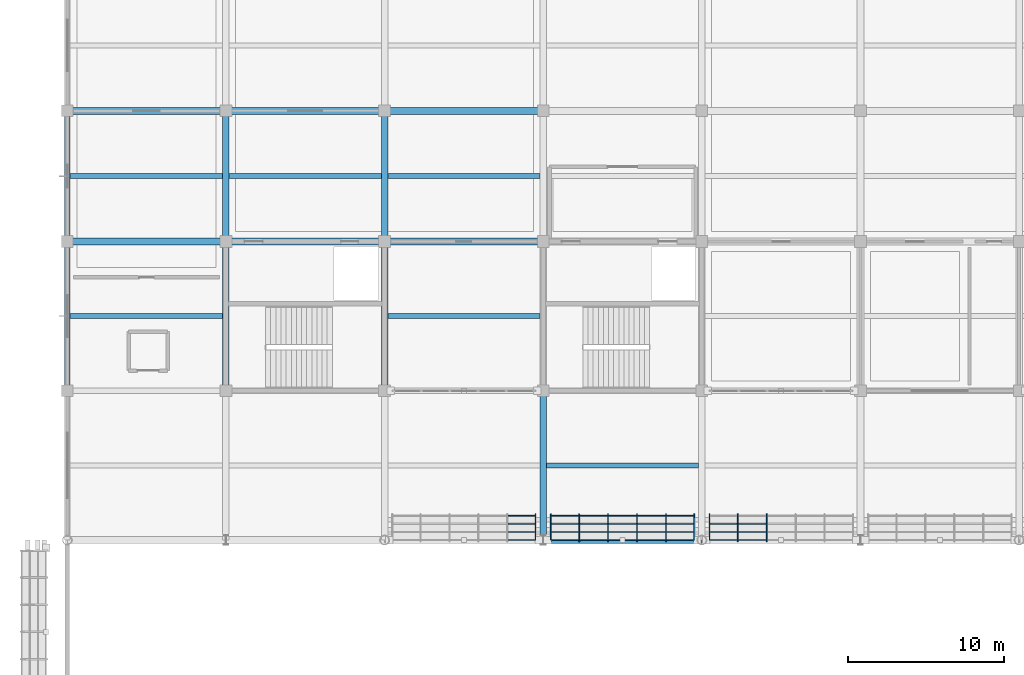
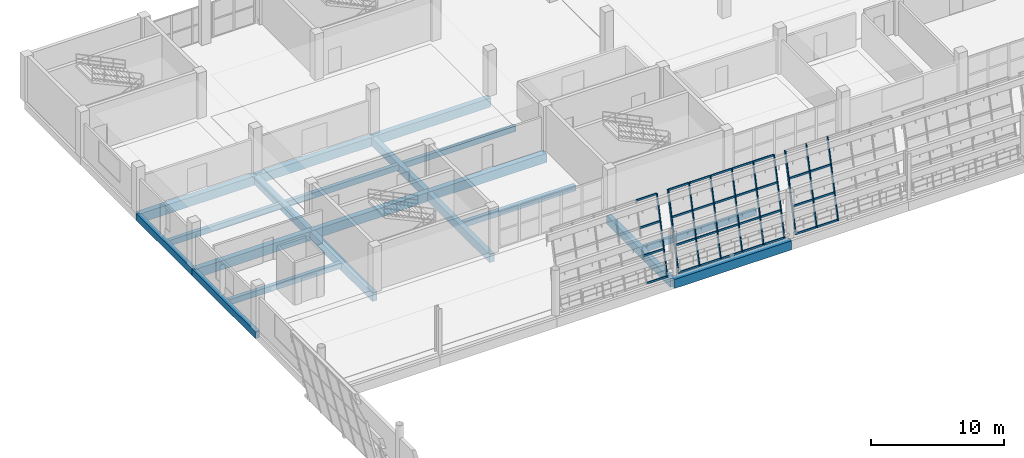
# One storey, part 36 of 157: 40 members, 20 beams, 3 elements without a shape of their own.
"""IFC4 building model written with IfcOpenShell, lengths in metres."""

import ifcopenshell
import ifcopenshell.guid

model = None  # the IFC model being written
_history = None  # IfcOwnerHistory: only IFC2X3 demands one
_inside = {}  # id of a spatial element -> (the spatial element, [elements in it])
_under = {}  # id of a project, library or spatial element -> (it, [spatial elements below it])
_declared = {}  # id of a project -> (the project, [libraries it declares])
_typed = {}  # id of a type object -> (the type object, [elements of that type])
_made_of = {}  # id of a material, layer set ... -> (it, [elements and type objects made of it])


def new_model(schema):
    """Start an empty IFC model of exactly this schema.

    Asked for "IFC4X3", IfcOpenShell would pick the latest addendum, in which some entities
    have other attributes; the version numbers below select the first issue.
    IFC2X3 requires an IfcOwnerHistory on every rooted entity: one is made here for all.
    """
    global model, _history
    if schema == "IFC4X3":
        model = ifcopenshell.file(schema_version=(4, 3, 0, 0))
    else:
        model = ifcopenshell.file(schema=schema)
    _inside.clear()
    _under.clear()
    _declared.clear()
    _typed.clear()
    _made_of.clear()
    _history = None
    if model.schema == "IFC2X3":
        org = make("IfcOrganization", Name="unknown")
        user = make(
            "IfcPersonAndOrganization",
            ThePerson=make("IfcPerson", FamilyName="unknown"),
            TheOrganization=org,
        )
        app = make(
            "IfcApplication",
            ApplicationDeveloper=org,
            Version="unknown",
            ApplicationFullName="unknown",
            ApplicationIdentifier="unknown",
        )
        _history = make(
            "IfcOwnerHistory",
            OwningUser=user,
            OwningApplication=app,
            ChangeAction="ADDED",
            CreationDate=0,
        )
    return model


def make(cls, **values):
    """One entity of the class cls with the attributes given. An attribute that is None is left unset."""
    return model.create_entity(
        cls, **{name: value for name, value in values.items() if value is not None}
    )


def rooted(cls, **values):
    """An entity with a GlobalId (a new one), such as an element, a storey or a relation."""
    return make(cls, GlobalId=ifcopenshell.guid.new(), OwnerHistory=_history, **values)


def si_unit(unit_type, name, prefix=None):
    """IfcSIUnit, for example si_unit("LENGTHUNIT", "METRE", prefix="MILLI")."""
    return make("IfcSIUnit", UnitType=unit_type, Prefix=prefix, Name=name)


def assignment(units):
    """IfcUnitAssignment: the units of a project."""
    return None if units is None else make("IfcUnitAssignment", Units=units)


def point(xyz):
    """IfcCartesianPoint."""
    return None if xyz is None else make("IfcCartesianPoint", Coordinates=xyz)


def direction(xyz):
    """IfcDirection."""
    return None if xyz is None else make("IfcDirection", DirectionRatios=xyz)


def frame(location, z_axis=None, x_axis=None):
    """IfcAxis2Placement3D, a coordinate frame: its origin and axes. An axis left out is left unset."""
    return make(
        "IfcAxis2Placement3D",
        Location=point(location),
        Axis=direction(z_axis),
        RefDirection=direction(x_axis),
    )


def frame_2d(location, x_axis=None):
    """IfcAxis2Placement2D, a coordinate frame in the plane: its origin and x axis."""
    return make(
        "IfcAxis2Placement2D", Location=point(location), RefDirection=direction(x_axis)
    )


def origin():
    """The frame at (0, 0, 0) with its axes left unset."""
    return frame((0.0, 0.0, 0.0))


def origin_2d():
    """The frame at (0, 0) in the plane with its x axis left unset."""
    return frame_2d((0.0, 0.0))


def place(relative_to, where):
    """IfcLocalPlacement: puts the frame where relative to a parent placement (None: the world)."""
    return make(
        "IfcLocalPlacement", PlacementRelTo=relative_to, RelativePlacement=where
    )


def context(
    kind, dimensions, precision=None, world=None, true_north=None, identifier=None
):
    """IfcGeometricRepresentationContext, for example the 3D "Model" context."""
    return make(
        "IfcGeometricRepresentationContext",
        ContextIdentifier=identifier,
        ContextType=kind,
        CoordinateSpaceDimension=dimensions,
        Precision=precision,
        WorldCoordinateSystem=world,
        TrueNorth=true_north,
    )


def subcontext(parent, identifier, kind, view, scale=None):
    """IfcGeometricRepresentationSubContext, for example "Body" below "Model"."""
    return make(
        "IfcGeometricRepresentationSubContext",
        ContextIdentifier=identifier,
        ContextType=kind,
        ParentContext=parent,
        TargetScale=scale,
        TargetView=view,
    )


def project(units=None, contexts=None):
    """IfcProject with its units and contexts."""
    return rooted(
        "IfcProject",
        Name="project",
        RepresentationContexts=contexts,
        UnitsInContext=assignment(units),
    )


def spatial(cls, under=None, at=None, **own):
    """A site, building, storey or space (cls), placed at a placement, below another one or the project."""
    s = rooted(cls, ObjectPlacement=at, **own)
    if under is not None:
        _under.setdefault(under.id(), (under, []))[1].append(s)
    return s


def profile(cls, at=None, kind="AREA", **sizes):
    """A parametric profile (cls). Its sizes go by their IFC names, for example OverallWidth=200.0."""
    return make(cls, ProfileType=kind, Position=at, **sizes)


def rectangle(**sizes):
    """IfcRectangleProfileDef."""
    return profile("IfcRectangleProfileDef", **sizes)


def hollow_rectangle(**sizes):
    """IfcRectangleHollowProfileDef."""
    return profile("IfcRectangleHollowProfileDef", **sizes)


def extrude(swept, where, along, depth):
    """IfcExtrudedAreaSolid: the profile swept, set in the frame where, extruded along a direction by depth."""
    return make(
        "IfcExtrudedAreaSolid",
        SweptArea=swept,
        Position=where,
        ExtrudedDirection=direction(along),
        Depth=depth,
    )


def shape(context_of_items, identifier, shape_type, items):
    """IfcShapeRepresentation: the items that make up one representation, for example the "Body"."""
    return make(
        "IfcShapeRepresentation",
        ContextOfItems=context_of_items,
        RepresentationIdentifier=identifier,
        RepresentationType=shape_type,
        Items=items,
    )


def material(Name=None, Category=None):
    """IfcMaterial."""
    return make("IfcMaterial", Name=Name, Category=Category)


def material_profile(
    of_material, cross_section, Name=None, Category=None, Priority=None
):
    """IfcMaterialProfile: a cross section and its material."""
    return make(
        "IfcMaterialProfile",
        Name=Name,
        Material=of_material,
        Profile=cross_section,
        Priority=Priority,
        Category=Category,
    )


def profile_set(profiles, Name=None, composite=None):
    """IfcMaterialProfileSet."""
    return make(
        "IfcMaterialProfileSet",
        Name=Name,
        MaterialProfiles=profiles,
        CompositeProfile=composite,
    )


def made_of(thing, what):
    """Note that an element or type object is made of a material, layer set ...; save() writes the relation."""
    if what is not None:
        _made_of.setdefault(what.id(), (what, []))[1].append(thing)
    return thing


def type_object(cls, material=None, **own):
    """A type object (cls), such as IfcWallType, which elements share."""
    return made_of(rooted(cls, **own), material)


def element(
    cls,
    number,
    at=None,
    inside=None,
    cuts=None,
    type_object=None,
    material=None,
    context=None,
    identifier="Body",
    shape_type=None,
    held_by="IfcProductDefinitionShape",
    body=None,
    shapes=None,
    **own,
):
    """One element of the class cls, such as IfcWall. Its Tag is "e" and its number.

    at: its placement. inside: the storey or other place that contains it. cuts: it is an
    opening in that element (IfcRelVoidsElement). A single representation is given by context,
    identifier, shape_type and body (its items); several are given by shapes. held_by: the class
    of the entity that holds the representations. save() writes the other relations.
    """
    e = rooted(cls, Tag="e%d" % number, ObjectPlacement=at, **own)
    if body is not None:
        shapes = [shape(context, identifier, shape_type, body)]
    if shapes is not None:
        e.Representation = make(held_by, Representations=shapes)
    if inside is not None:
        _inside.setdefault(inside.id(), (inside, []))[1].append(e)
    if cuts is not None:
        rooted(
            "IfcRelVoidsElement", RelatingBuildingElement=cuts, RelatedOpeningElement=e
        )
    if type_object is not None:
        _typed.setdefault(type_object.id(), (type_object, []))[1].append(e)
    return made_of(e, material)


def aggregate(whole, parts):
    """IfcRelAggregates: a whole, such as a stair, and the parts it consists of."""
    return rooted("IfcRelAggregates", RelatingObject=whole, RelatedObjects=parts)


def save(model, path):
    """Write the relations noted so far, then the file.

    IfcRelAggregates (storeys below a building ...), IfcRelContainedInSpatialStructure (elements
    in a storey), IfcRelDefinesByType, IfcRelAssociatesMaterial and IfcRelDeclares: one each for
    every whole, place, type object, material and project.
    """
    for whole, parts in _under.values():
        aggregate(whole, parts)
    for where, things in _inside.values():
        rooted(
            "IfcRelContainedInSpatialStructure",
            RelatedElements=things,
            RelatingStructure=where,
        )
    for kind, things in _typed.values():
        rooted("IfcRelDefinesByType", RelatedObjects=things, RelatingType=kind)
    for what, things in _made_of.values():
        rooted("IfcRelAssociatesMaterial", RelatedObjects=things, RelatingMaterial=what)
    for by, libraries in _declared.values():
        rooted("IfcRelDeclares", RelatingContext=by, RelatedDefinitions=libraries)
    model.write(path)


model = new_model("IFC4")

# Units and contexts
model_context = context("Model", 3, precision=1e-05, world=origin(), true_north=direction((0.0, 1.0)))
body_context = subcontext(model_context, "Body", "Model", "MODEL_VIEW")
ifc_project = project(units=[si_unit("LENGTHUNIT", "METRE"), si_unit("AREAUNIT", "SQUARE_METRE"), si_unit("VOLUMEUNIT", "CUBIC_METRE"), si_unit("PLANEANGLEUNIT", "RADIAN"), si_unit("MASSUNIT", "GRAM", prefix="KILO")], contexts=[model_context])

# Site, building, storey
site_placement = place(None, origin())
site = spatial("IfcSite", under=ifc_project, at=site_placement, CompositionType="ELEMENT")
building_placement = place(site_placement, origin())
building = spatial("IfcBuilding", under=site, at=building_placement, Name="Brelvane Convention Centre", CompositionType="ELEMENT")
storey_placement = place(building_placement, frame((0.0, 0.0, 10.800048828125)))
storey = spatial("IfcBuildingStorey", under=building, at=storey_placement, Name="L02", CompositionType="ELEMENT", Elevation=10.800048828125)

# Curtain wall, member
ifc_material_1 = material(Name="Anodised Aluminium Alloy 6063-T6", Category="aluminium")
curtain_wall_type = type_object("IfcCurtainWallType", Name="Curtain Wall CW-HULL-N", PredefinedType="USERDEFINED", material=ifc_material_1)
curtain_wall_1_placement = place(storey_placement, origin())
curtain_wall_1 = element("IfcCurtainWall", 1, at=curtain_wall_1_placement, inside=storey, type_object=curtain_wall_type, Name="Curtain Wall CW-HULL-N L02-V1N-HULL-03", ObjectType="UNITISED", PredefinedType="USERDEFINED")
ifc_material_2 = material(Name="Anodised Aluminium Alloy 6063-T6", Category="aluminium")
ifc_material_profile_1 = material_profile(ifc_material_2, hollow_rectangle(XDim=0.080078125, YDim=0.239990234375, WallThickness=0.006103515625, InnerFilletRadius=0.006103515625, OuterFilletRadius=0.011962890625, at=origin_2d()), Name="ALU-M 240x80x6.0")
ifc_profile_set_1 = profile_set([ifc_material_profile_1], Name="Anodised Aluminium Alloy 6063-T6")
member_type_1 = type_object("IfcMemberType", Name="Curtain Mullion CW-M1", PredefinedType="MULLION", material=ifc_profile_set_1)
member_1_placement = place(storey_placement, frame((30.110107421875, 99.60009765625, 0.0), z_axis=(0.0, 0.228324840492, 0.973585007698), x_axis=(-1.0, 0.0, 0.0)))
member_1 = element("IfcMember", 2, at=member_1_placement, type_object=member_type_1, Name="CW-HULL-N mullion 6", PredefinedType="MULLION", context=body_context, shape_type="SweptSolid", body=[
    extrude(hollow_rectangle(XDim=0.080078125, YDim=0.239990234375, WallThickness=0.006103515625, InnerFilletRadius=0.006103515625, OuterFilletRadius=0.011962890625, at=origin_2d()), origin(), (0.0, 0.0, 1.0), 6.93310546875),
])

# Curtain wall, members
curtain_wall_2_placement = place(storey_placement, origin())
curtain_wall_2 = element("IfcCurtainWall", 3, at=curtain_wall_2_placement, inside=storey, type_object=curtain_wall_type, Name="Curtain Wall CW-HULL-N L02-V1N-HULL-04", ObjectType="UNITISED", PredefinedType="USERDEFINED")
member_2_placement = place(storey_placement, frame((31.090087890625, 99.60009765625, 0.0), z_axis=(0.0, 0.228324840492, 0.973585007698), x_axis=(-1.0, 0.0, 0.0)))
member_2 = element("IfcMember", 4, at=member_2_placement, type_object=member_type_1, Name="CW-HULL-N mullion 1", PredefinedType="MULLION", context=body_context, shape_type="SweptSolid", body=[
    extrude(hollow_rectangle(XDim=0.080078125, YDim=0.239990234375, WallThickness=0.006103515625, InnerFilletRadius=0.006103515625, OuterFilletRadius=0.011962890625, at=origin_2d()), origin(), (0.0, 0.0, 1.0), 6.93310546875),
])
member_3_placement = place(storey_placement, frame((32.909912109375, 99.60009765625, 0.0), z_axis=(0.0, 0.228324840492, 0.973585007698), x_axis=(-1.0, 0.0, 0.0)))
member_3 = element("IfcMember", 5, at=member_3_placement, type_object=member_type_1, Name="CW-HULL-N mullion 2", PredefinedType="MULLION", context=body_context, shape_type="SweptSolid", body=[
    extrude(hollow_rectangle(XDim=0.080078125, YDim=0.239990234375, WallThickness=0.006103515625, InnerFilletRadius=0.006103515625, OuterFilletRadius=0.011962890625, at=origin_2d()), origin(), (0.0, 0.0, 1.0), 6.93310546875),
])
member_4_placement = place(storey_placement, frame((34.77001953125, 99.60009765625, 0.0), z_axis=(0.0, 0.228324840492, 0.973585007698), x_axis=(-1.0, 0.0, 0.0)))
member_4 = element("IfcMember", 6, at=member_4_placement, type_object=member_type_1, Name="CW-HULL-N mullion 3", PredefinedType="MULLION", context=body_context, shape_type="SweptSolid", body=[
    extrude(hollow_rectangle(XDim=0.080078125, YDim=0.239990234375, WallThickness=0.006103515625, InnerFilletRadius=0.006103515625, OuterFilletRadius=0.011962890625, at=origin_2d()), origin(), (0.0, 0.0, 1.0), 6.93310546875),
])
member_5_placement = place(storey_placement, frame((36.6298828125, 99.60009765625, 0.0), z_axis=(0.0, 0.228324840492, 0.973585007698), x_axis=(-1.0, 0.0, 0.0)))
member_5 = element("IfcMember", 7, at=member_5_placement, type_object=member_type_1, Name="CW-HULL-N mullion 4", PredefinedType="MULLION", context=body_context, shape_type="SweptSolid", body=[
    extrude(hollow_rectangle(XDim=0.080078125, YDim=0.239990234375, WallThickness=0.006103515625, InnerFilletRadius=0.006103515625, OuterFilletRadius=0.011962890625, at=origin_2d()), origin(), (0.0, 0.0, 1.0), 6.93310546875),
])
member_6_placement = place(storey_placement, frame((38.489990234375, 99.60009765625, 0.0), z_axis=(0.0, 0.228324840492, 0.973585007698), x_axis=(-1.0, 0.0, 0.0)))
member_6 = element("IfcMember", 8, at=member_6_placement, type_object=member_type_1, Name="CW-HULL-N mullion 5", PredefinedType="MULLION", context=body_context, shape_type="SweptSolid", body=[
    extrude(hollow_rectangle(XDim=0.080078125, YDim=0.239990234375, WallThickness=0.006103515625, InnerFilletRadius=0.006103515625, OuterFilletRadius=0.011962890625, at=origin_2d()), origin(), (0.0, 0.0, 1.0), 6.93310546875),
])
member_7_placement = place(storey_placement, frame((40.31005859375, 99.60009765625, 0.0), z_axis=(0.0, 0.228324840492, 0.973585007698), x_axis=(-1.0, 0.0, 0.0)))
member_7 = element("IfcMember", 9, at=member_7_placement, type_object=member_type_1, Name="CW-HULL-N mullion 6", PredefinedType="MULLION", context=body_context, shape_type="SweptSolid", body=[
    extrude(hollow_rectangle(XDim=0.080078125, YDim=0.239990234375, WallThickness=0.006103515625, InnerFilletRadius=0.006103515625, OuterFilletRadius=0.011962890625, at=origin_2d()), origin(), (0.0, 0.0, 1.0), 6.93310546875),
])

curtain_wall_3_placement = place(storey_placement, origin())
curtain_wall_3 = element("IfcCurtainWall", 10, at=curtain_wall_3_placement, inside=storey, type_object=curtain_wall_type, Name="Curtain Wall CW-HULL-N L02-V1N-HULL-05", ObjectType="UNITISED", PredefinedType="USERDEFINED")
member_8_placement = place(storey_placement, frame((41.2900390625, 99.60009765625, 0.0), z_axis=(0.0, 0.228324840492, 0.973585007698), x_axis=(-1.0, 0.0, 0.0)))
member_8 = element("IfcMember", 11, at=member_8_placement, type_object=member_type_1, Name="CW-HULL-N mullion 1", PredefinedType="MULLION", context=body_context, shape_type="SweptSolid", body=[
    extrude(hollow_rectangle(XDim=0.080078125, YDim=0.239990234375, WallThickness=0.006103515625, InnerFilletRadius=0.006103515625, OuterFilletRadius=0.011962890625, at=origin_2d()), origin(), (0.0, 0.0, 1.0), 6.93310546875),
])
member_9_placement = place(storey_placement, frame((43.110107421875, 99.60009765625, 0.0), z_axis=(0.0, 0.228324840492, 0.973585007698), x_axis=(-1.0, 0.0, 0.0)))
member_9 = element("IfcMember", 12, at=member_9_placement, type_object=member_type_1, Name="CW-HULL-N mullion 2", PredefinedType="MULLION", context=body_context, shape_type="SweptSolid", body=[
    extrude(hollow_rectangle(XDim=0.080078125, YDim=0.239990234375, WallThickness=0.006103515625, InnerFilletRadius=0.006103515625, OuterFilletRadius=0.011962890625, at=origin_2d()), origin(), (0.0, 0.0, 1.0), 6.93310546875),
])
member_10_placement = place(storey_placement, frame((44.969970703125, 99.60009765625, 0.0), z_axis=(0.0, 0.228324840492, 0.973585007698), x_axis=(-1.0, 0.0, 0.0)))
member_10 = element("IfcMember", 13, at=member_10_placement, type_object=member_type_1, Name="CW-HULL-N mullion 3", PredefinedType="MULLION", context=body_context, shape_type="SweptSolid", body=[
    extrude(hollow_rectangle(XDim=0.080078125, YDim=0.239990234375, WallThickness=0.006103515625, InnerFilletRadius=0.006103515625, OuterFilletRadius=0.011962890625, at=origin_2d()), origin(), (0.0, 0.0, 1.0), 6.93310546875),
])

# Member
ifc_material_3 = material(Name="Anodised Aluminium Alloy 6063-T6", Category="aluminium")
ifc_material_profile_2 = material_profile(ifc_material_3, hollow_rectangle(XDim=0.080078125, YDim=0.179931640625, WallThickness=0.0048828125, InnerFilletRadius=0.0048828125, OuterFilletRadius=0.010009765625, at=origin_2d()), Name="ALU-T 180x80x5.0")
ifc_profile_set_2 = profile_set([ifc_material_profile_2], Name="Anodised Aluminium Alloy 6063-T6")
member_type_2 = type_object("IfcMemberType", Name="Curtain Transom CW-T1", PredefinedType="USERDEFINED", material=ifc_profile_set_2)
member_11_placement = place(storey_placement, frame((28.330078125, 99.609375, 0.0400390625), z_axis=(1.0, 0.0, 0.0), x_axis=(0.0, 1.0, 0.0)))
member_11 = element("IfcMember", 14, at=member_11_placement, type_object=member_type_2, Name="CW-HULL-N transom 5.1", ObjectType="TRANSOM", PredefinedType="USERDEFINED", context=body_context, shape_type="SweptSolid", body=[
    extrude(hollow_rectangle(XDim=0.080078125, YDim=0.179931640625, WallThickness=0.0048828125, InnerFilletRadius=0.0048828125, OuterFilletRadius=0.010009765625, at=origin_2d()), origin(), (0.0, 0.0, 1.0), 1.739990234375),
])

member_12_placement = place(storey_placement, frame((28.330078125, 100.127685546875, 2.25), z_axis=(1.0, 0.0, 0.0), x_axis=(0.0, 1.0, 0.0)))
member_12 = element("IfcMember", 15, at=member_12_placement, type_object=member_type_2, Name="CW-HULL-N transom 5.2", ObjectType="TRANSOM", PredefinedType="USERDEFINED", context=body_context, shape_type="SweptSolid", body=[
    extrude(hollow_rectangle(XDim=0.080078125, YDim=0.179931640625, WallThickness=0.0048828125, InnerFilletRadius=0.0048828125, OuterFilletRadius=0.010009765625, at=origin_2d()), origin(), (0.0, 0.0, 1.0), 1.739990234375),
])

member_13_placement = place(storey_placement, frame((28.330078125, 100.655517578125, 4.5), z_axis=(1.0, 0.0, 0.0), x_axis=(0.0, 1.0, 0.0)))
member_13 = element("IfcMember", 16, at=member_13_placement, type_object=member_type_2, Name="CW-HULL-N transom 5.3", ObjectType="TRANSOM", PredefinedType="USERDEFINED", context=body_context, shape_type="SweptSolid", body=[
    extrude(hollow_rectangle(XDim=0.080078125, YDim=0.179931640625, WallThickness=0.0048828125, InnerFilletRadius=0.0048828125, OuterFilletRadius=0.010009765625, at=origin_2d()), origin(), (0.0, 0.0, 1.0), 1.739990234375),
])

member_14_placement = place(storey_placement, frame((28.330078125, 101.173828125, 6.7099609375), z_axis=(1.0, 0.0, 0.0), x_axis=(0.0, 1.0, 0.0)))
member_14 = element("IfcMember", 17, at=member_14_placement, type_object=member_type_2, Name="CW-HULL-N transom 5.4", ObjectType="TRANSOM", PredefinedType="USERDEFINED", context=body_context, shape_type="SweptSolid", body=[
    extrude(hollow_rectangle(XDim=0.080078125, YDim=0.179931640625, WallThickness=0.0048828125, InnerFilletRadius=0.0048828125, OuterFilletRadius=0.010009765625, at=origin_2d()), origin(), (0.0, 0.0, 1.0), 1.739990234375),
])

aggregate(curtain_wall_1, [member_1, member_11, member_12, member_13, member_14])

member_15_placement = place(storey_placement, frame((31.1298828125, 99.609375, 0.0400390625), z_axis=(1.0, 0.0, 0.0), x_axis=(0.0, 1.0, 0.0)))
member_15 = element("IfcMember", 18, at=member_15_placement, type_object=member_type_2, Name="CW-HULL-N transom 1.1", ObjectType="TRANSOM", PredefinedType="USERDEFINED", context=body_context, shape_type="SweptSolid", body=[
    extrude(hollow_rectangle(XDim=0.080078125, YDim=0.179931640625, WallThickness=0.0048828125, InnerFilletRadius=0.0048828125, OuterFilletRadius=0.010009765625, at=origin_2d()), origin(), (0.0, 0.0, 1.0), 1.740234375),
])

member_16_placement = place(storey_placement, frame((31.1298828125, 100.127685546875, 2.25), z_axis=(1.0, 0.0, 0.0), x_axis=(0.0, 1.0, 0.0)))
member_16 = element("IfcMember", 19, at=member_16_placement, type_object=member_type_2, Name="CW-HULL-N transom 1.2", ObjectType="TRANSOM", PredefinedType="USERDEFINED", context=body_context, shape_type="SweptSolid", body=[
    extrude(hollow_rectangle(XDim=0.080078125, YDim=0.179931640625, WallThickness=0.0048828125, InnerFilletRadius=0.0048828125, OuterFilletRadius=0.010009765625, at=origin_2d()), origin(), (0.0, 0.0, 1.0), 1.740234375),
])

member_17_placement = place(storey_placement, frame((31.1298828125, 100.655517578125, 4.5), z_axis=(1.0, 0.0, 0.0), x_axis=(0.0, 1.0, 0.0)))
member_17 = element("IfcMember", 20, at=member_17_placement, type_object=member_type_2, Name="CW-HULL-N transom 1.3", ObjectType="TRANSOM", PredefinedType="USERDEFINED", context=body_context, shape_type="SweptSolid", body=[
    extrude(hollow_rectangle(XDim=0.080078125, YDim=0.179931640625, WallThickness=0.0048828125, InnerFilletRadius=0.0048828125, OuterFilletRadius=0.010009765625, at=origin_2d()), origin(), (0.0, 0.0, 1.0), 1.740234375),
])

member_18_placement = place(storey_placement, frame((31.1298828125, 101.173828125, 6.7099609375), z_axis=(1.0, 0.0, 0.0), x_axis=(0.0, 1.0, 0.0)))
member_18 = element("IfcMember", 21, at=member_18_placement, type_object=member_type_2, Name="CW-HULL-N transom 1.4", ObjectType="TRANSOM", PredefinedType="USERDEFINED", context=body_context, shape_type="SweptSolid", body=[
    extrude(hollow_rectangle(XDim=0.080078125, YDim=0.179931640625, WallThickness=0.0048828125, InnerFilletRadius=0.0048828125, OuterFilletRadius=0.010009765625, at=origin_2d()), origin(), (0.0, 0.0, 1.0), 1.740234375),
])

member_19_placement = place(storey_placement, frame((32.949951171875, 99.609375, 0.0400390625), z_axis=(1.0, 0.0, 0.0), x_axis=(0.0, 1.0, 0.0)))
member_19 = element("IfcMember", 22, at=member_19_placement, type_object=member_type_2, Name="CW-HULL-N transom 2.1", ObjectType="TRANSOM", PredefinedType="USERDEFINED", context=body_context, shape_type="SweptSolid", body=[
    extrude(hollow_rectangle(XDim=0.080078125, YDim=0.179931640625, WallThickness=0.0048828125, InnerFilletRadius=0.0048828125, OuterFilletRadius=0.010009765625, at=origin_2d()), origin(), (0.0, 0.0, 1.0), 1.780029296875),
])

member_20_placement = place(storey_placement, frame((32.949951171875, 100.127685546875, 2.25), z_axis=(1.0, 0.0, 0.0), x_axis=(0.0, 1.0, 0.0)))
member_20 = element("IfcMember", 23, at=member_20_placement, type_object=member_type_2, Name="CW-HULL-N transom 2.2", ObjectType="TRANSOM", PredefinedType="USERDEFINED", context=body_context, shape_type="SweptSolid", body=[
    extrude(hollow_rectangle(XDim=0.080078125, YDim=0.179931640625, WallThickness=0.0048828125, InnerFilletRadius=0.0048828125, OuterFilletRadius=0.010009765625, at=origin_2d()), origin(), (0.0, 0.0, 1.0), 1.780029296875),
])

member_21_placement = place(storey_placement, frame((32.949951171875, 100.655517578125, 4.5), z_axis=(1.0, 0.0, 0.0), x_axis=(0.0, 1.0, 0.0)))
member_21 = element("IfcMember", 24, at=member_21_placement, type_object=member_type_2, Name="CW-HULL-N transom 2.3", ObjectType="TRANSOM", PredefinedType="USERDEFINED", context=body_context, shape_type="SweptSolid", body=[
    extrude(hollow_rectangle(XDim=0.080078125, YDim=0.179931640625, WallThickness=0.0048828125, InnerFilletRadius=0.0048828125, OuterFilletRadius=0.010009765625, at=origin_2d()), origin(), (0.0, 0.0, 1.0), 1.780029296875),
])

member_22_placement = place(storey_placement, frame((32.949951171875, 101.173828125, 6.7099609375), z_axis=(1.0, 0.0, 0.0), x_axis=(0.0, 1.0, 0.0)))
member_22 = element("IfcMember", 25, at=member_22_placement, type_object=member_type_2, Name="CW-HULL-N transom 2.4", ObjectType="TRANSOM", PredefinedType="USERDEFINED", context=body_context, shape_type="SweptSolid", body=[
    extrude(hollow_rectangle(XDim=0.080078125, YDim=0.179931640625, WallThickness=0.0048828125, InnerFilletRadius=0.0048828125, OuterFilletRadius=0.010009765625, at=origin_2d()), origin(), (0.0, 0.0, 1.0), 1.780029296875),
])

member_23_placement = place(storey_placement, frame((34.81005859375, 99.609375, 0.0400390625), z_axis=(1.0, 0.0, 0.0), x_axis=(0.0, 1.0, 0.0)))
member_23 = element("IfcMember", 26, at=member_23_placement, type_object=member_type_2, Name="CW-HULL-N transom 3.1", ObjectType="TRANSOM", PredefinedType="USERDEFINED", context=body_context, shape_type="SweptSolid", body=[
    extrude(hollow_rectangle(XDim=0.080078125, YDim=0.179931640625, WallThickness=0.0048828125, InnerFilletRadius=0.0048828125, OuterFilletRadius=0.010009765625, at=origin_2d()), origin(), (0.0, 0.0, 1.0), 1.780029296875),
])

member_24_placement = place(storey_placement, frame((34.81005859375, 100.127685546875, 2.25), z_axis=(1.0, 0.0, 0.0), x_axis=(0.0, 1.0, 0.0)))
member_24 = element("IfcMember", 27, at=member_24_placement, type_object=member_type_2, Name="CW-HULL-N transom 3.2", ObjectType="TRANSOM", PredefinedType="USERDEFINED", context=body_context, shape_type="SweptSolid", body=[
    extrude(hollow_rectangle(XDim=0.080078125, YDim=0.179931640625, WallThickness=0.0048828125, InnerFilletRadius=0.0048828125, OuterFilletRadius=0.010009765625, at=origin_2d()), origin(), (0.0, 0.0, 1.0), 1.780029296875),
])

member_25_placement = place(storey_placement, frame((34.81005859375, 100.655517578125, 4.5), z_axis=(1.0, 0.0, 0.0), x_axis=(0.0, 1.0, 0.0)))
member_25 = element("IfcMember", 28, at=member_25_placement, type_object=member_type_2, Name="CW-HULL-N transom 3.3", ObjectType="TRANSOM", PredefinedType="USERDEFINED", context=body_context, shape_type="SweptSolid", body=[
    extrude(hollow_rectangle(XDim=0.080078125, YDim=0.179931640625, WallThickness=0.0048828125, InnerFilletRadius=0.0048828125, OuterFilletRadius=0.010009765625, at=origin_2d()), origin(), (0.0, 0.0, 1.0), 1.780029296875),
])

member_26_placement = place(storey_placement, frame((34.81005859375, 101.173828125, 6.7099609375), z_axis=(1.0, 0.0, 0.0), x_axis=(0.0, 1.0, 0.0)))
member_26 = element("IfcMember", 29, at=member_26_placement, type_object=member_type_2, Name="CW-HULL-N transom 3.4", ObjectType="TRANSOM", PredefinedType="USERDEFINED", context=body_context, shape_type="SweptSolid", body=[
    extrude(hollow_rectangle(XDim=0.080078125, YDim=0.179931640625, WallThickness=0.0048828125, InnerFilletRadius=0.0048828125, OuterFilletRadius=0.010009765625, at=origin_2d()), origin(), (0.0, 0.0, 1.0), 1.780029296875),
])

member_27_placement = place(storey_placement, frame((36.669921875, 99.609375, 0.0400390625), z_axis=(1.0, 0.0, 0.0), x_axis=(0.0, 1.0, 0.0)))
member_27 = element("IfcMember", 30, at=member_27_placement, type_object=member_type_2, Name="CW-HULL-N transom 4.1", ObjectType="TRANSOM", PredefinedType="USERDEFINED", context=body_context, shape_type="SweptSolid", body=[
    extrude(hollow_rectangle(XDim=0.080078125, YDim=0.179931640625, WallThickness=0.0048828125, InnerFilletRadius=0.0048828125, OuterFilletRadius=0.010009765625, at=origin_2d()), origin(), (0.0, 0.0, 1.0), 1.780029296875),
])

member_28_placement = place(storey_placement, frame((36.669921875, 100.127685546875, 2.25), z_axis=(1.0, 0.0, 0.0), x_axis=(0.0, 1.0, 0.0)))
member_28 = element("IfcMember", 31, at=member_28_placement, type_object=member_type_2, Name="CW-HULL-N transom 4.2", ObjectType="TRANSOM", PredefinedType="USERDEFINED", context=body_context, shape_type="SweptSolid", body=[
    extrude(hollow_rectangle(XDim=0.080078125, YDim=0.179931640625, WallThickness=0.0048828125, InnerFilletRadius=0.0048828125, OuterFilletRadius=0.010009765625, at=origin_2d()), origin(), (0.0, 0.0, 1.0), 1.780029296875),
])

member_29_placement = place(storey_placement, frame((36.669921875, 100.655517578125, 4.5), z_axis=(1.0, 0.0, 0.0), x_axis=(0.0, 1.0, 0.0)))
member_29 = element("IfcMember", 32, at=member_29_placement, type_object=member_type_2, Name="CW-HULL-N transom 4.3", ObjectType="TRANSOM", PredefinedType="USERDEFINED", context=body_context, shape_type="SweptSolid", body=[
    extrude(hollow_rectangle(XDim=0.080078125, YDim=0.179931640625, WallThickness=0.0048828125, InnerFilletRadius=0.0048828125, OuterFilletRadius=0.010009765625, at=origin_2d()), origin(), (0.0, 0.0, 1.0), 1.780029296875),
])

member_30_placement = place(storey_placement, frame((36.669921875, 101.173828125, 6.7099609375), z_axis=(1.0, 0.0, 0.0), x_axis=(0.0, 1.0, 0.0)))
member_30 = element("IfcMember", 33, at=member_30_placement, type_object=member_type_2, Name="CW-HULL-N transom 4.4", ObjectType="TRANSOM", PredefinedType="USERDEFINED", context=body_context, shape_type="SweptSolid", body=[
    extrude(hollow_rectangle(XDim=0.080078125, YDim=0.179931640625, WallThickness=0.0048828125, InnerFilletRadius=0.0048828125, OuterFilletRadius=0.010009765625, at=origin_2d()), origin(), (0.0, 0.0, 1.0), 1.780029296875),
])

member_31_placement = place(storey_placement, frame((38.530029296875, 99.609375, 0.0400390625), z_axis=(1.0, 0.0, 0.0), x_axis=(0.0, 1.0, 0.0)))
member_31 = element("IfcMember", 34, at=member_31_placement, type_object=member_type_2, Name="CW-HULL-N transom 5.1", ObjectType="TRANSOM", PredefinedType="USERDEFINED", context=body_context, shape_type="SweptSolid", body=[
    extrude(hollow_rectangle(XDim=0.080078125, YDim=0.179931640625, WallThickness=0.0048828125, InnerFilletRadius=0.0048828125, OuterFilletRadius=0.010009765625, at=origin_2d()), origin(), (0.0, 0.0, 1.0), 1.739990234375),
])

member_32_placement = place(storey_placement, frame((38.530029296875, 100.127685546875, 2.25), z_axis=(1.0, 0.0, 0.0), x_axis=(0.0, 1.0, 0.0)))
member_32 = element("IfcMember", 35, at=member_32_placement, type_object=member_type_2, Name="CW-HULL-N transom 5.2", ObjectType="TRANSOM", PredefinedType="USERDEFINED", context=body_context, shape_type="SweptSolid", body=[
    extrude(hollow_rectangle(XDim=0.080078125, YDim=0.179931640625, WallThickness=0.0048828125, InnerFilletRadius=0.0048828125, OuterFilletRadius=0.010009765625, at=origin_2d()), origin(), (0.0, 0.0, 1.0), 1.739990234375),
])

member_33_placement = place(storey_placement, frame((38.530029296875, 100.655517578125, 4.5), z_axis=(1.0, 0.0, 0.0), x_axis=(0.0, 1.0, 0.0)))
member_33 = element("IfcMember", 36, at=member_33_placement, type_object=member_type_2, Name="CW-HULL-N transom 5.3", ObjectType="TRANSOM", PredefinedType="USERDEFINED", context=body_context, shape_type="SweptSolid", body=[
    extrude(hollow_rectangle(XDim=0.080078125, YDim=0.179931640625, WallThickness=0.0048828125, InnerFilletRadius=0.0048828125, OuterFilletRadius=0.010009765625, at=origin_2d()), origin(), (0.0, 0.0, 1.0), 1.739990234375),
])

member_34_placement = place(storey_placement, frame((38.530029296875, 101.173828125, 6.7099609375), z_axis=(1.0, 0.0, 0.0), x_axis=(0.0, 1.0, 0.0)))
member_34 = element("IfcMember", 37, at=member_34_placement, type_object=member_type_2, Name="CW-HULL-N transom 5.4", ObjectType="TRANSOM", PredefinedType="USERDEFINED", context=body_context, shape_type="SweptSolid", body=[
    extrude(hollow_rectangle(XDim=0.080078125, YDim=0.179931640625, WallThickness=0.0048828125, InnerFilletRadius=0.0048828125, OuterFilletRadius=0.010009765625, at=origin_2d()), origin(), (0.0, 0.0, 1.0), 1.739990234375),
])

aggregate(curtain_wall_2, [member_2, member_3, member_4, member_5, member_6, member_7, member_15, member_16, member_17, member_18, member_19, member_20, member_21, member_22, member_23, member_24, member_25, member_26, member_27, member_28, member_29, member_30, member_31, member_32, member_33, member_34])

member_35_placement = place(storey_placement, frame((41.330078125, 99.609375, 0.0400390625), z_axis=(1.0, 0.0, 0.0), x_axis=(0.0, 1.0, 0.0)))
member_35 = element("IfcMember", 38, at=member_35_placement, type_object=member_type_2, Name="CW-HULL-N transom 1.1", ObjectType="TRANSOM", PredefinedType="USERDEFINED", context=body_context, shape_type="SweptSolid", body=[
    extrude(hollow_rectangle(XDim=0.080078125, YDim=0.179931640625, WallThickness=0.0048828125, InnerFilletRadius=0.0048828125, OuterFilletRadius=0.010009765625, at=origin_2d()), origin(), (0.0, 0.0, 1.0), 1.739990234375),
])

member_36_placement = place(storey_placement, frame((41.330078125, 100.127685546875, 2.25), z_axis=(1.0, 0.0, 0.0), x_axis=(0.0, 1.0, 0.0)))
member_36 = element("IfcMember", 39, at=member_36_placement, type_object=member_type_2, Name="CW-HULL-N transom 1.2", ObjectType="TRANSOM", PredefinedType="USERDEFINED", context=body_context, shape_type="SweptSolid", body=[
    extrude(hollow_rectangle(XDim=0.080078125, YDim=0.179931640625, WallThickness=0.0048828125, InnerFilletRadius=0.0048828125, OuterFilletRadius=0.010009765625, at=origin_2d()), origin(), (0.0, 0.0, 1.0), 1.739990234375),
])

member_37_placement = place(storey_placement, frame((41.330078125, 100.655517578125, 4.5), z_axis=(1.0, 0.0, 0.0), x_axis=(0.0, 1.0, 0.0)))
member_37 = element("IfcMember", 40, at=member_37_placement, type_object=member_type_2, Name="CW-HULL-N transom 1.3", ObjectType="TRANSOM", PredefinedType="USERDEFINED", context=body_context, shape_type="SweptSolid", body=[
    extrude(hollow_rectangle(XDim=0.080078125, YDim=0.179931640625, WallThickness=0.0048828125, InnerFilletRadius=0.0048828125, OuterFilletRadius=0.010009765625, at=origin_2d()), origin(), (0.0, 0.0, 1.0), 1.739990234375),
])

member_38_placement = place(storey_placement, frame((43.14990234375, 99.609375, 0.0400390625), z_axis=(1.0, 0.0, 0.0), x_axis=(0.0, 1.0, 0.0)))
member_38 = element("IfcMember", 41, at=member_38_placement, type_object=member_type_2, Name="CW-HULL-N transom 2.1", ObjectType="TRANSOM", PredefinedType="USERDEFINED", context=body_context, shape_type="SweptSolid", body=[
    extrude(hollow_rectangle(XDim=0.080078125, YDim=0.179931640625, WallThickness=0.0048828125, InnerFilletRadius=0.0048828125, OuterFilletRadius=0.010009765625, at=origin_2d()), origin(), (0.0, 0.0, 1.0), 1.780029296875),
])

member_39_placement = place(storey_placement, frame((43.14990234375, 100.127685546875, 2.25), z_axis=(1.0, 0.0, 0.0), x_axis=(0.0, 1.0, 0.0)))
member_39 = element("IfcMember", 42, at=member_39_placement, type_object=member_type_2, Name="CW-HULL-N transom 2.2", ObjectType="TRANSOM", PredefinedType="USERDEFINED", context=body_context, shape_type="SweptSolid", body=[
    extrude(hollow_rectangle(XDim=0.080078125, YDim=0.179931640625, WallThickness=0.0048828125, InnerFilletRadius=0.0048828125, OuterFilletRadius=0.010009765625, at=origin_2d()), origin(), (0.0, 0.0, 1.0), 1.780029296875),
])

member_40_placement = place(storey_placement, frame((43.14990234375, 100.655517578125, 4.5), z_axis=(1.0, 0.0, 0.0), x_axis=(0.0, 1.0, 0.0)))
member_40 = element("IfcMember", 43, at=member_40_placement, type_object=member_type_2, Name="CW-HULL-N transom 2.3", ObjectType="TRANSOM", PredefinedType="USERDEFINED", context=body_context, shape_type="SweptSolid", body=[
    extrude(hollow_rectangle(XDim=0.080078125, YDim=0.179931640625, WallThickness=0.0048828125, InnerFilletRadius=0.0048828125, OuterFilletRadius=0.010009765625, at=origin_2d()), origin(), (0.0, 0.0, 1.0), 1.780029296875),
])

aggregate(curtain_wall_3, [member_8, member_9, member_10, member_35, member_36, member_37, member_38, member_39, member_40])

# Beams
ifc_material_4 = material(Name="Concrete M40", Category="concrete")
ifc_material_profile_3 = material_profile(ifc_material_4, rectangle(XDim=0.4599609375, YDim=0.840087890625, at=origin_2d()), Name="RC 460x840")
ifc_profile_set_3 = profile_set([ifc_material_profile_3], Name="Concrete M40")
beam_type_1 = type_object("IfcBeamType", Name="RC Beam B-RC11 (RC 460x840)", PredefinedType="BEAM", material=ifc_profile_set_3)
for number, where, z_axis, x_axis, name in (
    (44, (0.0, 118.800048828125, -0.699951171875), (1.0, 0.0, 0.0), (0.0, 1.0, 0.0), "L02 Beam 1-2/M"),
    (45, (0.0, 127.199951171875, -0.699951171875), (1.0, 0.0, 0.0), (0.0, 1.0, 0.0), "L02 Beam 1-2/N"),
    (46, (10.199951171875, 118.800048828125, -0.699951171875), (1.0, 0.0, 0.0), (0.0, 1.0, 0.0), "L02 Beam 2-3/M"),
    (47, (10.199951171875, 127.199951171875, -0.699951171875), (1.0, 0.0, 0.0), (0.0, 1.0, 0.0), "L02 Beam 2-3/N"),
):
    element("IfcBeam", number, at=place(storey_placement, frame(where, z_axis=z_axis, x_axis=x_axis)), inside=storey, type_object=beam_type_1, Name=name, PredefinedType="BEAM", context=body_context, shape_type="SweptSolid", body=[
        extrude(rectangle(XDim=0.4599609375, YDim=0.840087890625, at=origin_2d()), origin(), (0.0, 0.0, 1.0), 10.199951171875),
    ])
for number, where, z_axis, x_axis, name in (
    (48, (20.39990234375, 118.800048828125, -0.699951171875), (1.0, 0.0, 0.0), (0.0, 1.0, 0.0), "L02 Beam 3-4/M"),
    (49, (20.39990234375, 127.199951171875, -0.699951171875), (1.0, 0.0, 0.0), (0.0, 1.0, 0.0), "L02 Beam 3-4/N"),
):
    element("IfcBeam", number, at=place(storey_placement, frame(where, z_axis=z_axis, x_axis=x_axis)), inside=storey, type_object=beam_type_1, Name=name, PredefinedType="BEAM", context=body_context, shape_type="SweptSolid", body=[
        extrude(rectangle(XDim=0.4599609375, YDim=0.840087890625, at=origin_2d()), origin(), (0.0, 0.0, 1.0), 10.2001953125),
    ])
beam_1_placement = place(storey_placement, frame((30.60009765625, 99.60009765625, -0.699951171875), z_axis=(1.0, 0.0, 0.0), x_axis=(0.0, 1.0, 0.0)))
element("IfcBeam", 50, at=beam_1_placement, inside=storey, type_object=beam_type_1, Name="L02 Beam 4-5/K", PredefinedType="BEAM", context=body_context, shape_type="SweptSolid", body=[
    extrude(rectangle(XDim=0.4599609375, YDim=0.840087890625, at=origin_2d()), origin(), (0.0, 0.0, 1.0), 10.199951171875),
])
ifc_material_5 = material(Name="Concrete M40", Category="concrete")
ifc_material_profile_4 = material_profile(ifc_material_5, rectangle(XDim=0.419921875, YDim=0.780029296875, at=origin_2d()), Name="RC 420x780")
ifc_profile_set_4 = profile_set([ifc_material_profile_4], Name="Concrete M40")
beam_type_2 = type_object("IfcBeamType", Name="RC Beam B-RC12 (RC 420x780)", PredefinedType="BEAM", material=ifc_profile_set_4)
beam_2_placement = place(storey_placement, frame((10.199951171875, 109.199951171875, -0.670166015625), z_axis=(0.0, 1.0, 0.0), x_axis=(-1.0, 0.0, 0.0)))
element("IfcBeam", 51, at=beam_2_placement, inside=storey, type_object=beam_type_2, Name="L02 Girder 2/L-M", PredefinedType="BEAM", context=body_context, shape_type="SweptSolid", body=[
    extrude(rectangle(XDim=0.419921875, YDim=0.780029296875, at=origin_2d()), origin(), (0.0, 0.0, 1.0), 9.60009765625),
])
beam_3_placement = place(storey_placement, frame((10.199951171875, 118.800048828125, -0.670166015625), z_axis=(0.0, 1.0, 0.0), x_axis=(-1.0, 0.0, 0.0)))
element("IfcBeam", 52, at=beam_3_placement, inside=storey, type_object=beam_type_2, Name="L02 Girder 2/M-N", PredefinedType="BEAM", context=body_context, shape_type="SweptSolid", body=[
    extrude(rectangle(XDim=0.419921875, YDim=0.780029296875, at=origin_2d()), origin(), (0.0, 0.0, 1.0), 8.39990234375),
])
beam_4_placement = place(storey_placement, frame((20.39990234375, 109.199951171875, -0.670166015625), z_axis=(0.0, 1.0, 0.0), x_axis=(-1.0, 0.0, 0.0)))
element("IfcBeam", 53, at=beam_4_placement, inside=storey, type_object=beam_type_2, Name="L02 Girder 3/L-M", PredefinedType="BEAM", context=body_context, shape_type="SweptSolid", body=[
    extrude(rectangle(XDim=0.419921875, YDim=0.780029296875, at=origin_2d()), origin(), (0.0, 0.0, 1.0), 9.60009765625),
])
beam_5_placement = place(storey_placement, frame((20.39990234375, 118.800048828125, -0.670166015625), z_axis=(0.0, 1.0, 0.0), x_axis=(-1.0, 0.0, 0.0)))
element("IfcBeam", 54, at=beam_5_placement, inside=storey, type_object=beam_type_2, Name="L02 Girder 3/M-N", PredefinedType="BEAM", context=body_context, shape_type="SweptSolid", body=[
    extrude(rectangle(XDim=0.419921875, YDim=0.780029296875, at=origin_2d()), origin(), (0.0, 0.0, 1.0), 8.39990234375),
])
beam_6_placement = place(storey_placement, frame((30.60009765625, 99.60009765625, -0.670166015625), z_axis=(0.0, 1.0, 0.0), x_axis=(-1.0, 0.0, 0.0)))
element("IfcBeam", 55, at=beam_6_placement, inside=storey, type_object=beam_type_2, Name="L02 Girder 4/K-L", PredefinedType="BEAM", context=body_context, shape_type="SweptSolid", body=[
    extrude(rectangle(XDim=0.419921875, YDim=0.780029296875, at=origin_2d()), origin(), (0.0, 0.0, 1.0), 9.599853515625),
])
ifc_material_6 = material(Name="Concrete M40", Category="concrete")
ifc_material_profile_5 = material_profile(ifc_material_6, rectangle(XDim=0.320068359375, YDim=0.52001953125, at=origin_2d()), Name="RC 320x520")
ifc_profile_set_5 = profile_set([ifc_material_profile_5], Name="Concrete M40")
beam_type_3 = type_object("IfcBeamType", Name="RC Joist J-RC4 (RC 320x520)", PredefinedType="JOIST", material=ifc_profile_set_5)
for number, where, z_axis, x_axis, name in (
    (56, (0.179931640625, 114.0, -0.5400390625), (1.0, 0.0, 0.0), (0.0, 1.0, 0.0), "L02 Secondary Joist 1-2/LM"),
    (57, (0.179931640625, 123.0, -0.5400390625), (1.0, 0.0, 0.0), (0.0, 1.0, 0.0), "L02 Secondary Joist 1-2/MN"),
):
    element("IfcBeam", number, at=place(storey_placement, frame(where, z_axis=z_axis, x_axis=x_axis)), inside=storey, type_object=beam_type_3, Name=name, PredefinedType="JOIST", context=body_context, shape_type="SweptSolid", body=[
        extrude(rectangle(XDim=0.320068359375, YDim=0.52001953125, at=origin_2d()), origin(), (0.0, 0.0, 1.0), 9.81005859375),
    ])
beam_7_placement = place(storey_placement, frame((10.409912109375, 123.0, -0.5400390625), z_axis=(1.0, 0.0, 0.0), x_axis=(0.0, 1.0, 0.0)))
element("IfcBeam", 58, at=beam_7_placement, inside=storey, type_object=beam_type_3, Name="L02 Secondary Joist 2-3/MN", PredefinedType="JOIST", context=body_context, shape_type="SweptSolid", body=[
    extrude(rectangle(XDim=0.320068359375, YDim=0.52001953125, at=origin_2d()), origin(), (0.0, 0.0, 1.0), 9.780029296875),
])
for number, where, z_axis, x_axis, name in (
    (59, (20.610107421875, 114.0, -0.5400390625), (1.0, 0.0, 0.0), (0.0, 1.0, 0.0), "L02 Secondary Joist 3-4/LM"),
    (60, (20.610107421875, 123.0, -0.5400390625), (1.0, 0.0, 0.0), (0.0, 1.0, 0.0), "L02 Secondary Joist 3-4/MN"),
):
    element("IfcBeam", number, at=place(storey_placement, frame(where, z_axis=z_axis, x_axis=x_axis)), inside=storey, type_object=beam_type_3, Name=name, PredefinedType="JOIST", context=body_context, shape_type="SweptSolid", body=[
        extrude(rectangle(XDim=0.320068359375, YDim=0.52001953125, at=origin_2d()), origin(), (0.0, 0.0, 1.0), 9.77978515625),
    ])
beam_8_placement = place(storey_placement, frame((30.81005859375, 104.39990234375, -0.5400390625), z_axis=(1.0, 0.0, 0.0), x_axis=(0.0, 1.0, 0.0)))
element("IfcBeam", 61, at=beam_8_placement, inside=storey, type_object=beam_type_3, Name="L02 Secondary Joist 4-5/KL", PredefinedType="JOIST", context=body_context, shape_type="SweptSolid", body=[
    extrude(rectangle(XDim=0.320068359375, YDim=0.52001953125, at=origin_2d()), origin(), (0.0, 0.0, 1.0), 9.780029296875),
])
ifc_material_7 = material(Name="Concrete M40", Category="concrete")
ifc_material_profile_6 = material_profile(ifc_material_7, rectangle(XDim=0.360107421875, YDim=0.639892578125, at=origin_2d()), Name="RC 360x640")
ifc_profile_set_6 = profile_set([ifc_material_profile_6], Name="Concrete M40")
beam_type_4 = type_object("IfcBeamType", Name="RC Spandrel SP-RC3 (RC 360x640)", PredefinedType="SPANDREL", material=ifc_profile_set_6)
beam_9_placement = place(storey_placement, frame((0.0, 109.199951171875, -0.60009765625), z_axis=(0.0, 1.0, 0.0), x_axis=(-1.0, 0.0, 0.0)))
element("IfcBeam", 62, at=beam_9_placement, inside=storey, type_object=beam_type_4, Name="L02 Girder 1/L-M", PredefinedType="SPANDREL", context=body_context, shape_type="SweptSolid", body=[
    extrude(rectangle(XDim=0.360107421875, YDim=0.639892578125, at=origin_2d()), origin(), (0.0, 0.0, 1.0), 9.60009765625),
])
beam_10_placement = place(storey_placement, frame((0.0, 118.800048828125, -0.60009765625), z_axis=(0.0, 1.0, 0.0), x_axis=(-1.0, 0.0, 0.0)))
element("IfcBeam", 63, at=beam_10_placement, inside=storey, type_object=beam_type_4, Name="L02 Girder 1/M-N", PredefinedType="SPANDREL", context=body_context, shape_type="SweptSolid", body=[
    extrude(rectangle(XDim=0.360107421875, YDim=0.639892578125, at=origin_2d()), origin(), (0.0, 0.0, 1.0), 8.39990234375),
])

save(model, "model.ifc")
